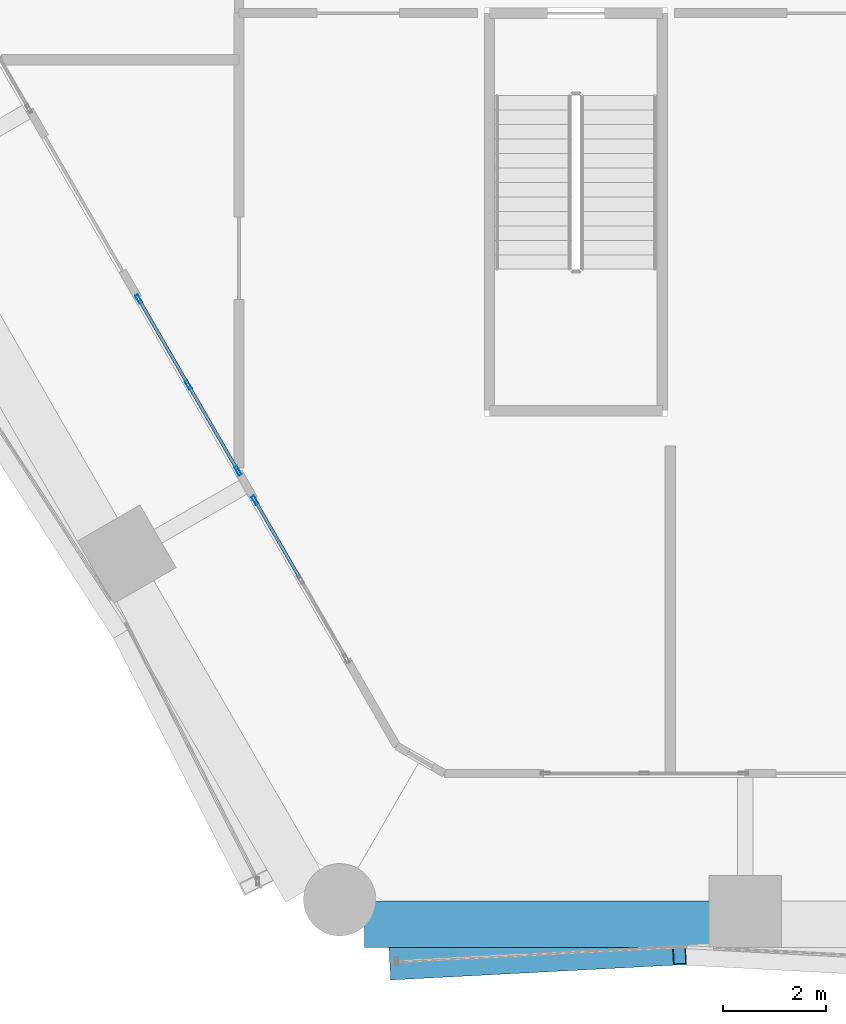
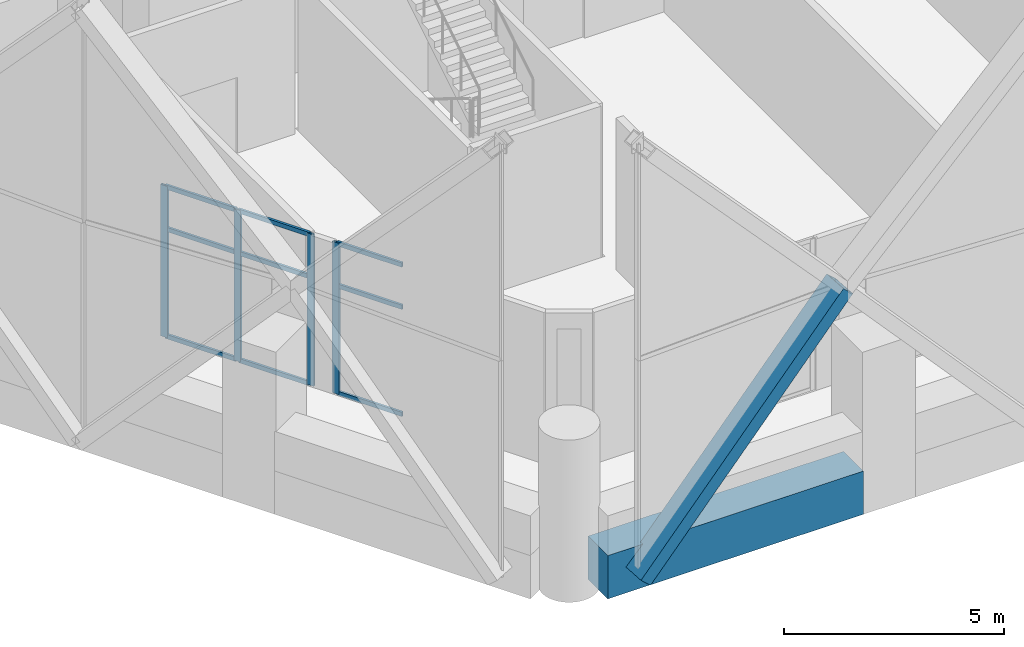
# One storey, part 7 of 46: 14 members, 1 beam, 2 elements without a shape of their own.
"""IFC4 building model written with IfcOpenShell, lengths in metres."""

from ifc_helpers import new_model, si_unit, direction, frame, origin, origin_2d, place, context, subcontext, project, spatial, rectangle, hollow_rectangle, extrude, material, material_profile, profile_set, type_object, element, aggregate, save


model = new_model("IFC4")

# Units and contexts
model_context = context("Model", 3, precision=1e-05, world=origin(), true_north=direction((0.0, 1.0)))
body_context = subcontext(model_context, "Body", "Model", "MODEL_VIEW")
ifc_project = project(units=[si_unit("LENGTHUNIT", "METRE"), si_unit("AREAUNIT", "SQUARE_METRE"), si_unit("VOLUMEUNIT", "CUBIC_METRE"), si_unit("PLANEANGLEUNIT", "RADIAN"), si_unit("MASSUNIT", "GRAM", prefix="KILO")], contexts=[model_context])

# Site, building, storey
site_placement = place(None, origin())
site = spatial("IfcSite", under=ifc_project, at=site_placement, CompositionType="ELEMENT")
building_placement = place(site_placement, origin())
building = spatial("IfcBuilding", under=site, at=building_placement, Name="Ostrander Bayou Hotel Tower", CompositionType="ELEMENT")
storey_placement = place(building_placement, frame((0.0, 0.0, 23.5)))
storey = spatial("IfcBuildingStorey", under=building, at=storey_placement, Name="L05", CompositionType="ELEMENT", Elevation=23.5)

# Curtain wall, members
ifc_material_1 = material(Name="Aluminium and clear glass", Category="aluminium")
curtain_wall_type = type_object("IfcCurtainWallType", Name="CW-SKY amenity glass wall", PredefinedType="NOTDEFINED", material=ifc_material_1)
curtain_wall_1_placement = place(storey_placement, origin())
curtain_wall_1 = element("IfcCurtainWall", 1, at=curtain_wall_1_placement, inside=storey, type_object=curtain_wall_type, Name="CW-SKY L05 SW 3", PredefinedType="NOTDEFINED")
ifc_material_2 = material(Name="Aluminium", Category="aluminium")
ifc_material_profile_1 = material_profile(ifc_material_2, hollow_rectangle(XDim=0.06005859375, YDim=0.179931640625, WallThickness=0.00390625, at=origin_2d()))
ifc_profile_set_1 = profile_set([ifc_material_profile_1], Name="Aluminium")
member_type_1 = type_object("IfcMemberType", Name="CW-SK mullion 60 x 180 mm", PredefinedType="MULLION", material=ifc_profile_set_1)
member_1_placement = place(storey_placement, frame((-15.94140625, -9.238525390625, 0.0), z_axis=(0.0, 0.0, 1.0), x_axis=(0.866025463091, 0.499999897278, 0.0)))
member_1 = element("IfcMember", 2, at=member_1_placement, type_object=member_type_1, Name="CW-SKY mullion 1", PredefinedType="MULLION", context=body_context, shape_type="SweptSolid", body=[
    extrude(hollow_rectangle(XDim=0.06005859375, YDim=0.179931640625, WallThickness=0.00390625, at=origin_2d()), origin(), (0.0, 0.0, 1.0), 4.199951171875),
])
member_2_placement = place(storey_placement, frame((-14.9814453125, -10.9013671875, 0.0), z_axis=(0.0, 0.0, 1.0), x_axis=(0.866025463091, 0.499999897278, 0.0)))
member_2 = element("IfcMember", 3, at=member_2_placement, type_object=member_type_1, Name="CW-SKY mullion 2", PredefinedType="MULLION", context=body_context, shape_type="SweptSolid", body=[
    extrude(hollow_rectangle(XDim=0.06005859375, YDim=0.179931640625, WallThickness=0.00390625, at=origin_2d()), origin(), (0.0, 0.0, 1.0), 4.199951171875),
])
member_3_placement = place(storey_placement, frame((-14.021484375, -12.56396484375, 0.0), z_axis=(0.0, 0.0, 1.0), x_axis=(0.866025463091, 0.499999897278, 0.0)))
member_3 = element("IfcMember", 4, at=member_3_placement, type_object=member_type_1, Name="CW-SKY mullion 3", PredefinedType="MULLION", context=body_context, shape_type="SweptSolid", body=[
    extrude(hollow_rectangle(XDim=0.06005859375, YDim=0.179931640625, WallThickness=0.00390625, at=origin_2d()), origin(), (0.0, 0.0, 1.0), 4.199951171875),
])

# Curtain wall, member
curtain_wall_2_placement = place(storey_placement, origin())
curtain_wall_2 = element("IfcCurtainWall", 5, at=curtain_wall_2_placement, inside=storey, type_object=curtain_wall_type, Name="CW-SKY L05 SW 4", PredefinedType="NOTDEFINED")
member_4_placement = place(storey_placement, frame((-13.69140625, -13.135498046875, 0.0), z_axis=(0.0, 0.0, 1.0), x_axis=(0.866025997283, 0.499998972029, 0.0)))
member_4 = element("IfcMember", 6, at=member_4_placement, type_object=member_type_1, Name="CW-SKY mullion 1", PredefinedType="MULLION", context=body_context, shape_type="SweptSolid", body=[
    extrude(hollow_rectangle(XDim=0.06005859375, YDim=0.179931640625, WallThickness=0.00390625, at=origin_2d()), origin(), (0.0, 0.0, 1.0), 4.199951171875),
])

# Member
ifc_material_3 = material(Name="Aluminium", Category="aluminium")
ifc_material_profile_2 = material_profile(ifc_material_3, hollow_rectangle(XDim=0.06005859375, YDim=0.1201171875, WallThickness=0.00390625, at=origin_2d()))
ifc_profile_set_2 = profile_set([ifc_material_profile_2], Name="Aluminium")
member_type_2 = type_object("IfcMemberType", Name="CW-SK transom 60 x 120 mm", PredefinedType="USERDEFINED", material=ifc_profile_set_2)
member_5_placement = place(storey_placement, frame((-15.926513671875, -9.264404296875, 0.030029296875), z_axis=(0.499964847546, -0.866045698112, 0.0), x_axis=(0.866045698112, 0.499964847546, 0.0)))
member_5 = element("IfcMember", 7, at=member_5_placement, type_object=member_type_2, Name="CW-SKY transom 1.1", ObjectType="TRANSOM", PredefinedType="USERDEFINED", context=body_context, shape_type="SweptSolid", body=[
    extrude(hollow_rectangle(XDim=0.06005859375, YDim=0.1201171875, WallThickness=0.00390625, at=origin_2d()), origin(), (0.0, 0.0, 1.0), 1.860107421875),
])

member_6_placement = place(storey_placement, frame((-15.926513671875, -9.264404296875, 3.0), z_axis=(0.499964847546, -0.866045698112, 0.0), x_axis=(0.866045698112, 0.499964847546, 0.0)))
member_6 = element("IfcMember", 8, at=member_6_placement, type_object=member_type_2, Name="CW-SKY transom 1.2", ObjectType="TRANSOM", PredefinedType="USERDEFINED", context=body_context, shape_type="SweptSolid", body=[
    extrude(hollow_rectangle(XDim=0.06005859375, YDim=0.1201171875, WallThickness=0.00390625, at=origin_2d()), origin(), (0.0, 0.0, 1.0), 1.860107421875),
])

member_7_placement = place(storey_placement, frame((-15.926513671875, -9.264404296875, 4.169921875), z_axis=(0.499964847546, -0.866045698112, 0.0), x_axis=(0.866045698112, 0.499964847546, 0.0)))
member_7 = element("IfcMember", 9, at=member_7_placement, type_object=member_type_2, Name="CW-SKY transom 1.3", ObjectType="TRANSOM", PredefinedType="USERDEFINED", context=body_context, shape_type="SweptSolid", body=[
    extrude(hollow_rectangle(XDim=0.06005859375, YDim=0.1201171875, WallThickness=0.00390625, at=origin_2d()), origin(), (0.0, 0.0, 1.0), 1.860107421875),
])

member_8_placement = place(storey_placement, frame((-14.966552734375, -10.92724609375, 0.030029296875), z_axis=(0.499964847546, -0.866045698112, 0.0), x_axis=(0.866045698112, 0.499964847546, 0.0)))
member_8 = element("IfcMember", 10, at=member_8_placement, type_object=member_type_2, Name="CW-SKY transom 2.1", ObjectType="TRANSOM", PredefinedType="USERDEFINED", context=body_context, shape_type="SweptSolid", body=[
    extrude(hollow_rectangle(XDim=0.06005859375, YDim=0.1201171875, WallThickness=0.00390625, at=origin_2d()), origin(), (0.0, 0.0, 1.0), 1.860107421875),
])

member_9_placement = place(storey_placement, frame((-14.966552734375, -10.92724609375, 3.0), z_axis=(0.499964847546, -0.866045698112, 0.0), x_axis=(0.866045698112, 0.499964847546, 0.0)))
member_9 = element("IfcMember", 11, at=member_9_placement, type_object=member_type_2, Name="CW-SKY transom 2.2", ObjectType="TRANSOM", PredefinedType="USERDEFINED", context=body_context, shape_type="SweptSolid", body=[
    extrude(hollow_rectangle(XDim=0.06005859375, YDim=0.1201171875, WallThickness=0.00390625, at=origin_2d()), origin(), (0.0, 0.0, 1.0), 1.860107421875),
])

member_10_placement = place(storey_placement, frame((-14.966552734375, -10.92724609375, 4.169921875), z_axis=(0.499964847546, -0.866045698112, 0.0), x_axis=(0.866045698112, 0.499964847546, 0.0)))
member_10 = element("IfcMember", 12, at=member_10_placement, type_object=member_type_2, Name="CW-SKY transom 2.3", ObjectType="TRANSOM", PredefinedType="USERDEFINED", context=body_context, shape_type="SweptSolid", body=[
    extrude(hollow_rectangle(XDim=0.06005859375, YDim=0.1201171875, WallThickness=0.00390625, at=origin_2d()), origin(), (0.0, 0.0, 1.0), 1.860107421875),
])

aggregate(curtain_wall_1, [member_1, member_2, member_3, member_5, member_6, member_7, member_8, member_9, member_10])

member_11_placement = place(storey_placement, frame((-13.676513671875, -13.16162109375, 0.030029296875), z_axis=(0.499977863513, -0.866038183914, 0.0), x_axis=(0.866038183914, 0.499977863513, 0.0)))
member_11 = element("IfcMember", 13, at=member_11_placement, type_object=member_type_2, Name="CW-SKY transom 1.1", ObjectType="TRANSOM", PredefinedType="USERDEFINED", context=body_context, shape_type="SweptSolid", body=[
    extrude(hollow_rectangle(XDim=0.06005859375, YDim=0.1201171875, WallThickness=0.00390625, at=origin_2d()), origin(), (0.0, 0.0, 1.0), 1.7099609375),
])

member_12_placement = place(storey_placement, frame((-13.676513671875, -13.16162109375, 3.0), z_axis=(0.499977863513, -0.866038183914, 0.0), x_axis=(0.866038183914, 0.499977863513, 0.0)))
member_12 = element("IfcMember", 14, at=member_12_placement, type_object=member_type_2, Name="CW-SKY transom 1.2", ObjectType="TRANSOM", PredefinedType="USERDEFINED", context=body_context, shape_type="SweptSolid", body=[
    extrude(hollow_rectangle(XDim=0.06005859375, YDim=0.1201171875, WallThickness=0.00390625, at=origin_2d()), origin(), (0.0, 0.0, 1.0), 1.7099609375),
])

member_13_placement = place(storey_placement, frame((-13.676513671875, -13.16162109375, 4.169921875), z_axis=(0.499977863513, -0.866038183914, 0.0), x_axis=(0.866038183914, 0.499977863513, 0.0)))
member_13 = element("IfcMember", 15, at=member_13_placement, type_object=member_type_2, Name="CW-SKY transom 1.3", ObjectType="TRANSOM", PredefinedType="USERDEFINED", context=body_context, shape_type="SweptSolid", body=[
    extrude(hollow_rectangle(XDim=0.06005859375, YDim=0.1201171875, WallThickness=0.00390625, at=origin_2d()), origin(), (0.0, 0.0, 1.0), 1.7099609375),
])

aggregate(curtain_wall_2, [member_4, member_11, member_12, member_13])

ifc_material_4 = material(Name="Steel ASTM A572 Gr 50", Category="steel")
ifc_material_profile_3 = material_profile(ifc_material_4, hollow_rectangle(XDim=0.699951171875, YDim=0.35009765625, WallThickness=0.02490234375, at=origin_2d()))
ifc_profile_set_3 = profile_set([ifc_material_profile_3], Name="Steel ASTM A572 Gr 50")
member_type_3 = type_object("IfcMemberType", Name="LT1 lattice member box 700 x 350 x 25 mm", PredefinedType="BRACE", material=ifc_profile_set_3)
member_14_placement = place(storey_placement, frame((-5.475341796875, -21.783203125, 5.39990234375), z_axis=(-0.673653383854, -0.03529418674, -0.738204198582), x_axis=(0.052320446705, -0.998630347454, 0.0)))
element("IfcMember", 16, at=member_14_placement, inside=storey, type_object=member_type_3, Name="LT1 L05 S 1", PredefinedType="BRACE", context=body_context, shape_type="SweptSolid", body=[
    extrude(hollow_rectangle(XDim=0.699951171875, YDim=0.35009765625, WallThickness=0.02490234375, at=origin_2d()), origin(), (0.0, 0.0, 1.0), 8.1279296875),
])

# Beam
ifc_material_5 = material(Name="Concrete f'c 70 MPa", Category="concrete")
ifc_material_profile_4 = material_profile(ifc_material_5, rectangle(XDim=0.89990234375, YDim=1.199951171875, at=origin_2d()))
ifc_profile_set_4 = profile_set([ifc_material_profile_4], Name="Concrete f'c 70 MPa")
beam_type = type_object("IfcBeamType", Name="SP1 spandrel beam 900 x 1200 mm f'c 70 MPa", PredefinedType="SPANDREL", material=ifc_profile_set_4)
beam_placement = place(storey_placement, frame((-11.569091796875, -21.35009765625, -0.60009765625), z_axis=(1.0, 0.0, 0.0), x_axis=(0.0, 1.0, 0.0)))
element("IfcBeam", 17, at=beam_placement, inside=storey, type_object=beam_type, Name="SP1 L05 S-1", PredefinedType="SPANDREL", context=body_context, shape_type="SweptSolid", body=[
    extrude(rectangle(XDim=0.89990234375, YDim=1.199951171875, at=origin_2d()), origin(), (0.0, 0.0, 1.0), 6.70361328125),
])

save(model, "model.ifc")
